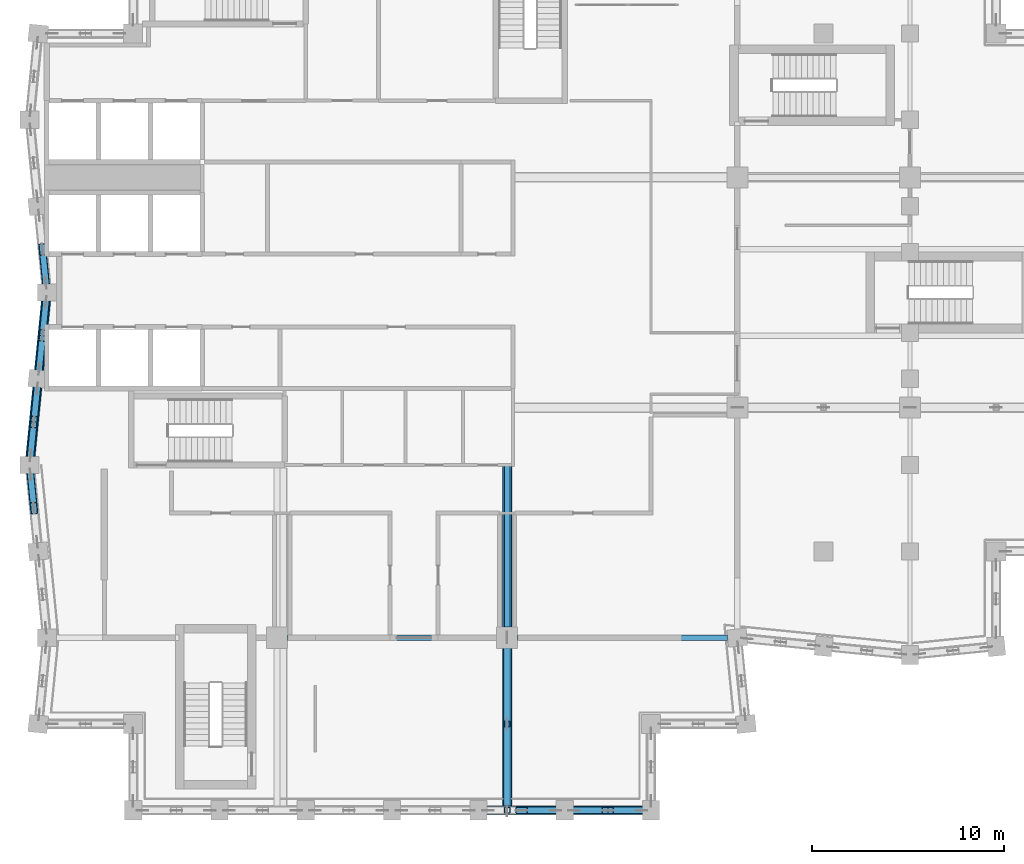
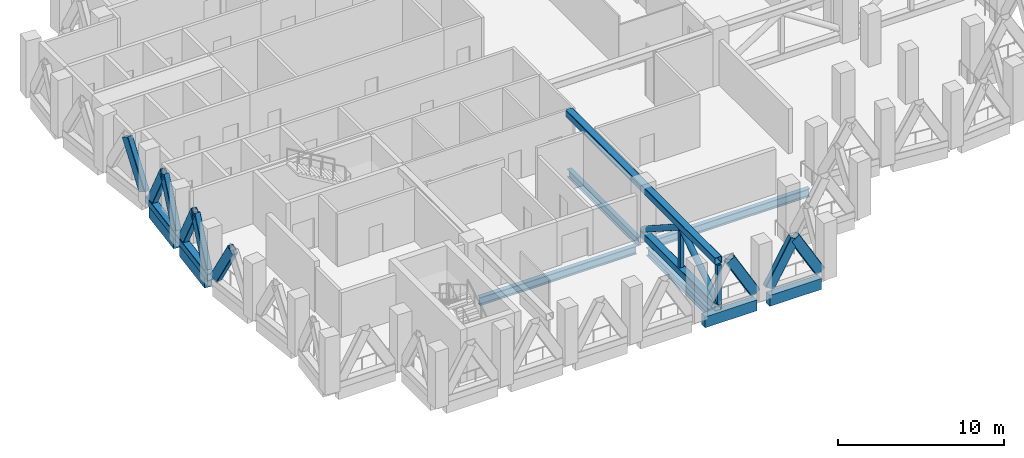
# One storey, part 2 of 18: 16 members, 8 beams.
"""IFC4 building model written with IfcOpenShell, lengths in metres."""

from ifc_helpers import new_model, si_unit, direction, frame, origin, origin_2d, place, context, subcontext, project, spatial, rectangle, hollow_rectangle, hollow_circle, i_section, extrude, material, material_profile, profile_set, type_object, element, save


model = new_model("IFC4")

# Units and contexts
model_context = context("Model", 3, precision=1e-05, world=origin(), true_north=direction((0.0, 1.0)))
body_context = subcontext(model_context, "Body", "Model", "MODEL_VIEW")
ifc_project = project(units=[si_unit("LENGTHUNIT", "METRE"), si_unit("AREAUNIT", "SQUARE_METRE"), si_unit("VOLUMEUNIT", "CUBIC_METRE"), si_unit("PLANEANGLEUNIT", "RADIAN"), si_unit("MASSUNIT", "GRAM", prefix="KILO")], contexts=[model_context])

# Site, building, storey
site_placement = place(None, origin())
site = spatial("IfcSite", under=ifc_project, at=site_placement, CompositionType="ELEMENT")
building_placement = place(site_placement, origin())
building = spatial("IfcBuilding", under=site, at=building_placement, Name="Brondeck Convention Tower", CompositionType="ELEMENT")
storey_placement = place(building_placement, frame((0.0, 0.0, 248.199951171875)))
storey = spatial("IfcBuildingStorey", under=building, at=storey_placement, Name="L61", CompositionType="ELEMENT", Elevation=248.199951171875)

# Members
ifc_material_1 = material(Name="Steel S460", Category="steel")
ifc_material_profile_1 = material_profile(ifc_material_1, hollow_rectangle(XDim=0.39990234375, YDim=0.699951171875, WallThickness=0.030029296875, InnerFilletRadius=0.030029296875, OuterFilletRadius=0.06005859375, at=origin_2d()), Name="RHS 700x400x30")
ifc_profile_set_1 = profile_set([ifc_material_profile_1], Name="Steel S460")
member_type_1 = type_object("IfcMemberType", Name="Chevron brace RHS 700x400x30", PredefinedType="BRACE", material=ifc_profile_set_1)
for number, where, z_axis, x_axis, name in (
    (1, (26.510986328125, 18.0, 0.5), (-0.500008478926, 0.0, 0.866020508419), (0.0, -1.0, 0.0), "Belt truss BT-61-5 diagonal"),
    (2, (27.489013671875, 18.0, 0.5), (0.500008478926, 0.0, 0.866020508419), (0.0, 1.0, 0.0), "Belt truss BT-61-6 diagonal"),
    (3, (31.010986328125, 18.0, 0.5), (-0.500008478926, 0.0, 0.866020508419), (0.0, -1.0, 0.0), "Belt truss BT-61-6 diagonal"),
    (4, (-0.0498046875, 45.497802734375, 0.5), (-0.049772391254, 0.497515949904, 0.866025743647), (-0.995033071281, -0.099544899705, 0.0), "Belt truss BT-61-37 diagonal"),
    (5, (-0.0498046875, 44.502197265625, 0.5), (-0.049772391254, -0.497515949904, 0.866025743647), (0.995033071281, -0.099544899705, 0.0), "Belt truss BT-61-38 diagonal"),
    (6, (-0.400146484375, 40.997802734375, 0.5), (0.049703241745, 0.49751766528, 0.866028729601), (-0.995046794549, 0.099407628771, 0.0), "Belt truss BT-61-38 diagonal"),
    (7, (-0.499755859375, 40.002197265625, 0.5), (-0.049772391254, -0.497515949904, 0.866025743647), (0.995033071281, -0.099544899705, 0.0), "Belt truss BT-61-39 diagonal"),
    (8, (-0.85009765625, 36.497802734375, 0.5), (0.049703241745, 0.49751766528, 0.866028729601), (-0.995046794549, 0.099407628771, 0.0), "Belt truss BT-61-39 diagonal"),
    (9, (-0.85009765625, 35.502197265625, 0.5), (0.049703241745, -0.49751766528, 0.866028729601), (0.995046794549, 0.099407628771, 0.0), "Belt truss BT-61-40 diagonal"),
):
    element("IfcMember", number, at=place(storey_placement, frame(where, z_axis=z_axis, x_axis=x_axis)), inside=storey, type_object=member_type_1, Name=name, PredefinedType="BRACE", context=body_context, shape_type="SweptSolid", body=[
        extrude(hollow_rectangle(XDim=0.39990234375, YDim=0.699951171875, WallThickness=0.030029296875, InnerFilletRadius=0.030029296875, OuterFilletRadius=0.06005859375, at=origin_2d()), origin(), (0.0, 0.0, 1.0), 3.52197265625),
    ])

# Beams
ifc_material_2 = material(Name="Steel S355", Category="steel")
ifc_material_profile_2 = material_profile(ifc_material_2, i_section(OverallWidth=0.300048828125, OverallDepth=0.60009765625, WebThickness=0.015380859375, FlangeThickness=0.030029296875, FilletRadius=0.027099609375, at=origin_2d()), Name="HEB 600")
ifc_profile_set_2 = profile_set([ifc_material_profile_2], Name="Steel S355")
beam_type_1 = type_object("IfcBeamType", Name="Girder HEB 600", PredefinedType="BEAM", material=ifc_profile_set_2)
beam_1_placement = place(storey_placement, frame((24.0, 35.955078125, -0.75), z_axis=(0.0, -1.0, 0.0), x_axis=(1.0, 0.0, 0.0)))
element("IfcBeam", 10, at=beam_1_placement, inside=storey, type_object=beam_type_1, Name="STR-GR-L61-011", PredefinedType="BEAM", context=body_context, shape_type="SweptSolid", body=[
    extrude(i_section(OverallWidth=0.300048828125, OverallDepth=0.60009765625, WebThickness=0.015380859375, FlangeThickness=0.030029296875, FilletRadius=0.027099609375, at=origin_2d()), origin(), (0.0, 0.0, 1.0), 8.405029296875),
])
beam_2_placement = place(storey_placement, frame((24.0, 26.449951171875, -0.75), z_axis=(0.0, -1.0, 0.0), x_axis=(1.0, 0.0, 0.0)))
element("IfcBeam", 11, at=beam_2_placement, inside=storey, type_object=beam_type_1, Name="STR-GR-L61-012", PredefinedType="BEAM", context=body_context, shape_type="SweptSolid", body=[
    extrude(i_section(OverallWidth=0.300048828125, OverallDepth=0.60009765625, WebThickness=0.015380859375, FlangeThickness=0.030029296875, FilletRadius=0.027099609375, at=origin_2d()), origin(), (0.0, 0.0, 1.0), 8.224853515625),
])
beam_3_placement = place(storey_placement, frame((12.550048828125, 27.0, -0.75), z_axis=(1.0, 0.0, 0.0), x_axis=(0.0, 1.0, 0.0)))
element("IfcBeam", 12, at=beam_3_placement, inside=storey, type_object=beam_type_1, Name="STR-GR-L61-014", PredefinedType="BEAM", context=body_context, shape_type="SweptSolid", body=[
    extrude(i_section(OverallWidth=0.300048828125, OverallDepth=0.60009765625, WebThickness=0.015380859375, FlangeThickness=0.030029296875, FilletRadius=0.027099609375, at=origin_2d()), origin(), (0.0, 0.0, 1.0), 10.89990234375),
])
beam_4_placement = place(storey_placement, frame((24.550048828125, 27.0, -0.75), z_axis=(1.0, 0.0, 0.0), x_axis=(0.0, 1.0, 0.0)))
element("IfcBeam", 13, at=beam_4_placement, inside=storey, type_object=beam_type_1, Name="STR-GR-L61-015", PredefinedType="BEAM", context=body_context, shape_type="SweptSolid", body=[
    extrude(i_section(OverallWidth=0.300048828125, OverallDepth=0.60009765625, WebThickness=0.015380859375, FlangeThickness=0.030029296875, FilletRadius=0.027099609375, at=origin_2d()), origin(), (0.0, 0.0, 1.0), 10.947509765625),
])
ifc_material_3 = material(Name="Concrete C50/60", Category="concrete")
ifc_material_profile_3 = material_profile(ifc_material_3, rectangle(XDim=0.449951171875, YDim=0.800048828125, at=origin_2d()), Name="Precast spandrel 450x800 Concrete C50/60")
ifc_profile_set_3 = profile_set([ifc_material_profile_3], Name="Concrete C50/60")
beam_type_2 = type_object("IfcBeamType", Name="Precast spandrel 450x800 Concrete C50/60", PredefinedType="SPANDREL", material=ifc_profile_set_3)
for number, where, z_axis, x_axis, name in (
    (14, (22.949951171875, 18.0, -0.39990234375), (1.0, 0.0, 0.0), (0.0, 1.0, 0.0), "STR-SP-L61-005"),
    (15, (27.449951171875, 18.0, -0.39990234375), (1.0, 0.0, 0.0), (0.0, 1.0, 0.0), "STR-SP-L61-006"),
):
    element("IfcBeam", number, at=place(storey_placement, frame(where, z_axis=z_axis, x_axis=x_axis)), inside=storey, type_object=beam_type_2, Name=name, PredefinedType="SPANDREL", context=body_context, shape_type="SweptSolid", body=[
        extrude(rectangle(XDim=0.449951171875, YDim=0.800048828125, at=origin_2d()), origin(), (0.0, 0.0, 1.0), 3.60009765625),
    ])
for number, where, z_axis, x_axis, name in (
    (16, (-0.044921875, 44.550048828125, -0.39990234375), (-0.099537103649, -0.995033851182, 0.0), (0.995033851182, -0.099537103649, 0.0), "STR-SP-L61-038"),
    (17, (-0.494873046875, 40.05224609375, -0.39990234375), (-0.099470334057, -0.995040528141, 0.0), (0.995040528141, -0.099470334057, 0.0), "STR-SP-L61-039"),
):
    element("IfcBeam", number, at=place(storey_placement, frame(where, z_axis=z_axis, x_axis=x_axis)), inside=storey, type_object=beam_type_2, Name=name, PredefinedType="SPANDREL", context=body_context, shape_type="SweptSolid", body=[
        extrude(rectangle(XDim=0.449951171875, YDim=0.800048828125, at=origin_2d()), origin(), (0.0, 0.0, 1.0), 3.620361328125),
    ])

# Members
ifc_material_profile_4 = material_profile(ifc_material_1, hollow_rectangle(XDim=0.5, YDim=0.5, WallThickness=0.02490234375, InnerFilletRadius=0.02490234375, OuterFilletRadius=0.050048828125, at=origin_2d()), Name="RHS 500x500x25")
ifc_profile_set_4 = profile_set([ifc_material_profile_4], Name="Steel S460")
member_type_2 = type_object("IfcMemberType", Name="Truss chord RHS 500x500x25", PredefinedType="CHORD", material=ifc_profile_set_4)
member_1_placement = place(storey_placement, frame((0.0, 45.0, 0.25), z_axis=(-0.099493029059, -0.995038259148, 0.0), x_axis=(0.995038259148, -0.099493029059, 0.0)))
element("IfcMember", 18, at=member_1_placement, inside=storey, type_object=member_type_2, Name="Belt truss BT-61-22 chord", PredefinedType="CHORD", context=body_context, shape_type="SweptSolid", body=[
    extrude(hollow_rectangle(XDim=0.5, YDim=0.5, WallThickness=0.02490234375, InnerFilletRadius=0.02490234375, OuterFilletRadius=0.050048828125, at=origin_2d()), origin(), (0.0, 0.0, 1.0), 9.044921875),
])
member_2_placement = place(storey_placement, frame((24.0, 36.0, 3.650146484375), z_axis=(0.0, -1.0, 0.0), x_axis=(1.0, 0.0, 0.0)))
element("IfcMember", 19, at=member_2_placement, inside=storey, type_object=member_type_2, Name="Outrigger truss OT-61-B2 chord", PredefinedType="CHORD", context=body_context, shape_type="SweptSolid", body=[
    extrude(hollow_rectangle(XDim=0.5, YDim=0.5, WallThickness=0.02490234375, InnerFilletRadius=0.02490234375, OuterFilletRadius=0.050048828125, at=origin_2d()), origin(), (0.0, 0.0, 1.0), 18.0),
])
member_3_placement = place(storey_placement, frame((24.0, 27.0, 0.25), z_axis=(0.0, -1.0, 0.0), x_axis=(1.0, 0.0, 0.0)))
element("IfcMember", 20, at=member_3_placement, inside=storey, type_object=member_type_2, Name="Outrigger truss OT-61-B2 chord", PredefinedType="CHORD", context=body_context, shape_type="SweptSolid", body=[
    extrude(hollow_rectangle(XDim=0.5, YDim=0.5, WallThickness=0.02490234375, InnerFilletRadius=0.02490234375, OuterFilletRadius=0.050048828125, at=origin_2d()), origin(), (0.0, 0.0, 1.0), 9.0),
])
ifc_material_profile_5 = material_profile(ifc_material_1, hollow_circle(Radius=0.203125, WallThickness=0.02490234375, at=origin_2d()), Name="CHS 406.4x25")
ifc_profile_set_5 = profile_set([ifc_material_profile_5], Name="Steel S460")
member_type_3 = type_object("IfcMemberType", Name="Truss diagonal CHS 406.4x25", PredefinedType="BRACE", material=ifc_profile_set_5)
for number, where, z_axis, x_axis, name in (
    (21, (24.0, 27.0, 0.5), (0.0, -0.840558575931, 0.541720666422), (1.0, 0.0, 0.0), "Outrigger truss OT-61-B2 diagonal"),
    (22, (24.0, 22.5, 3.400146484375), (0.0, -0.840558575931, -0.541720666422), (1.0, 0.0, 0.0), "Outrigger truss OT-61-B2 diagonal"),
):
    element("IfcMember", number, at=place(storey_placement, frame(where, z_axis=z_axis, x_axis=x_axis)), inside=storey, type_object=member_type_3, Name=name, PredefinedType="BRACE", context=body_context, shape_type="SweptSolid", body=[
        extrude(hollow_circle(Radius=0.203125, WallThickness=0.02490234375, at=origin_2d()), origin(), (0.0, 0.0, 1.0), 5.353515625),
    ])
ifc_material_profile_6 = material_profile(ifc_material_1, hollow_rectangle(XDim=0.300048828125, YDim=0.300048828125, WallThickness=0.01611328125, InnerFilletRadius=0.01611328125, OuterFilletRadius=0.031982421875, at=origin_2d()), Name="RHS 300x300x16")
ifc_profile_set_6 = profile_set([ifc_material_profile_6], Name="Steel S460")
member_type_4 = type_object("IfcMemberType", Name="Truss vertical RHS 300x300x16", PredefinedType="STRUT", material=ifc_profile_set_6)
for number, where, z_axis, x_axis, name in (
    (23, (24.0, 22.5, 0.5), (0.0, 0.0, 1.0), (1.0, 0.0, 0.0), "Outrigger truss OT-61-B2 vertical"),
    (24, (24.0, 18.0, 0.5), (0.0, 0.0, 1.0), (1.0, 0.0, 0.0), "Outrigger truss OT-61-B2 vertical"),
):
    element("IfcMember", number, at=place(storey_placement, frame(where, z_axis=z_axis, x_axis=x_axis)), inside=storey, type_object=member_type_4, Name=name, PredefinedType="STRUT", context=body_context, shape_type="SweptSolid", body=[
        extrude(hollow_rectangle(XDim=0.300048828125, YDim=0.300048828125, WallThickness=0.01611328125, InnerFilletRadius=0.01611328125, OuterFilletRadius=0.031982421875, at=origin_2d()), origin(), (0.0, 0.0, 1.0), 2.900146484375),
    ])

save(model, "model.ifc")
